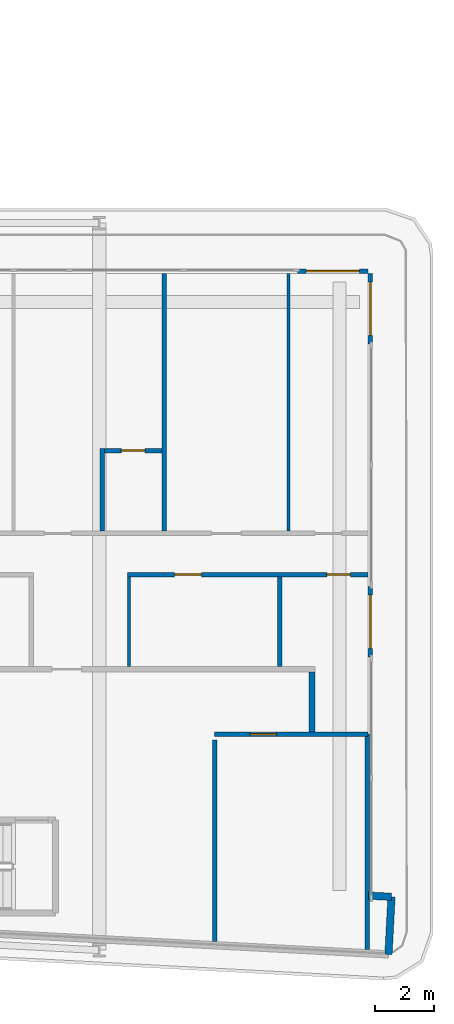
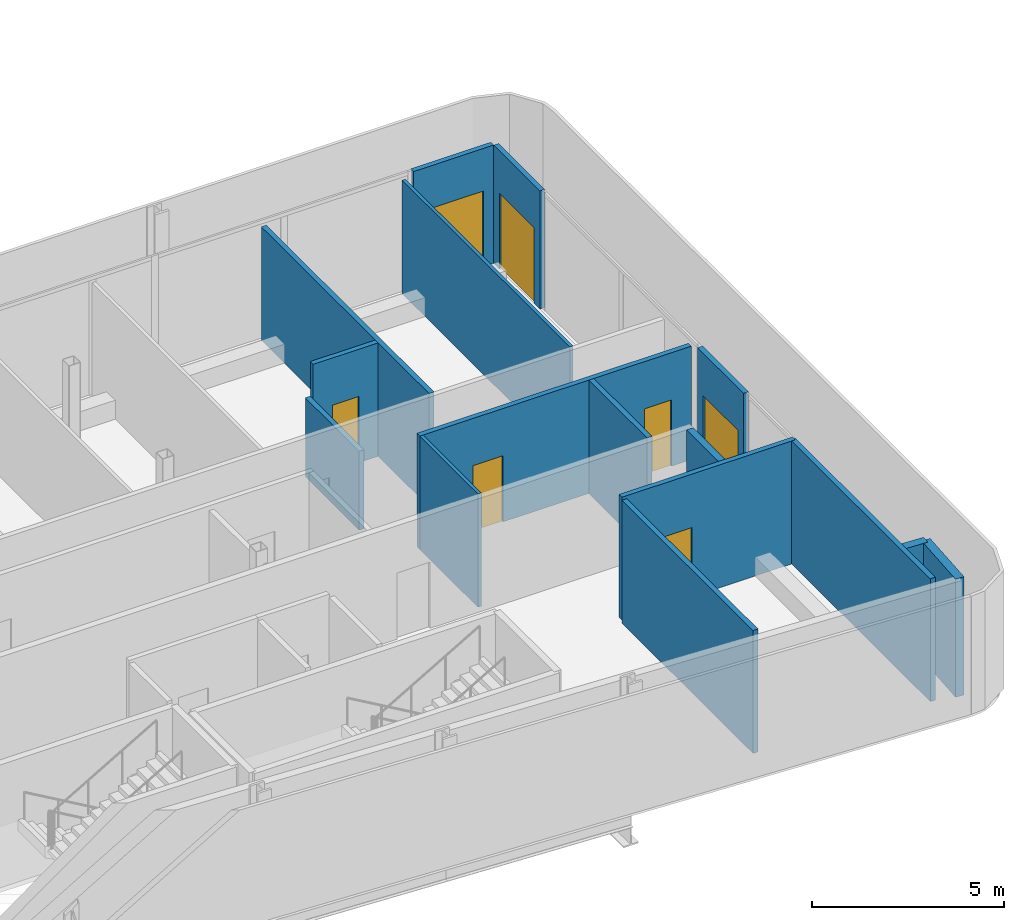
# One storey, part 19 of 27: 16 walls, 7 doors, 7 openings.
"""IFC4 building model written with IfcOpenShell, lengths in metres."""

from ifc_helpers import new_model, si_unit, direction, frame, frame_2d, origin, place, context, subcontext, project, spatial, rectangle, extrude, source, transform, mapped, material, layer, layer_set, type_object, element, fill, save


model = new_model("IFC4")

# Units and contexts
model_context = context("Model", 3, precision=1e-05, world=origin(), true_north=direction((0.0, 1.0)))
body_context = subcontext(model_context, "Body", "Model", "MODEL_VIEW")
ifc_project = project(units=[si_unit("LENGTHUNIT", "METRE"), si_unit("AREAUNIT", "SQUARE_METRE"), si_unit("VOLUMEUNIT", "CUBIC_METRE"), si_unit("PLANEANGLEUNIT", "RADIAN"), si_unit("MASSUNIT", "GRAM", prefix="KILO")], contexts=[model_context])

# Site, building, storey
site_placement = place(None, origin())
site = spatial("IfcSite", under=ifc_project, at=site_placement, CompositionType="ELEMENT")
building_placement = place(site_placement, origin())
building = spatial("IfcBuilding", under=site, at=building_placement, Name="Kheshtan School and Residences Tower", CompositionType="ELEMENT")
storey_placement = place(building_placement, frame((0.0, 0.0, 98.0)))
storey = spatial("IfcBuildingStorey", under=building, at=storey_placement, Name="L22", CompositionType="ELEMENT", Elevation=98.0)

# Walls
ifc_material_1 = material(Name="Gypsum board on steel studs with fire boards", Category="steel")
ifc_layer_1 = layer(ifc_material_1, 0.199951171875)
ifc_layer_set_1 = layer_set([ifc_layer_1], Name="Corridor wall 200")
wall_type_1 = type_object("IfcWallType", Name="Corridor wall 200", PredefinedType="PARTITIONING", material=ifc_layer_set_1)
wall_1_placement = place(storey_placement, frame((98.0, 28.3740234375, 0.0), z_axis=(0.0, 0.0, 1.0), x_axis=(0.0, 1.0, 0.0)))
element("IfcWall", 1, at=wall_1_placement, inside=storey, type_object=wall_type_1, Name="Partition L22-069", PredefinedType="PARTITIONING", context=body_context, shape_type="SweptSolid", body=[
    extrude(rectangle(XDim=2.02587890625, YDim=0.199951171875, at=frame_2d((1.012939453125, 0.0))), origin(), (0.0, 0.0, 1.0), 3.60009765625),
])
ifc_material_2 = material(Name="Concrete C40/50 with ceramic cladding and mineral wool insulation", Category="concrete")
ifc_layer_2 = layer(ifc_material_2, 0.25)
ifc_layer_set_2 = layer_set([ifc_layer_2], Name="External wall 250 ceramic clad")
wall_type_2 = type_object("IfcWallType", Name="External wall 250 ceramic clad", PredefinedType="SOLIDWALL", material=ifc_layer_set_2)
wall_2_placement = place(storey_placement, frame((99.906982421875, 22.839111328125, 0.0), z_axis=(0.0, 0.0, 1.0), x_axis=(0.998561284263, -0.053622398031, 0.0)))
element("IfcWall", 2, at=wall_2_placement, inside=storey, type_object=wall_type_2, Name="External wall L22 10", PredefinedType="SOLIDWALL", context=body_context, shape_type="SweptSolid", body=[
    extrude(rectangle(XDim=0.783203125, YDim=0.25, at=frame_2d((0.3916015625, 0.0))), origin(), (0.0, 0.0, 1.0), 3.75),
])
wall_3_placement = place(storey_placement, frame((100.68896484375, 22.797119140625, 0.0), z_axis=(0.0, 0.0, 1.0), x_axis=(-0.052841433274, -0.998602915542, 0.0)))
element("IfcWall", 3, at=wall_3_placement, inside=storey, type_object=wall_type_2, Name="External wall L22 11", PredefinedType="SOLIDWALL", context=body_context, shape_type="SweptSolid", body=[
    extrude(rectangle(XDim=1.94970703125, YDim=0.25, at=frame_2d((0.974853515625, 0.0))), origin(), (0.0, 0.0, 1.0), 3.75),
])

# Wall, opening, door
ifc_material_3 = material(Name="Aluminium frame wall with insulated infill", Category="aluminium")
ifc_layer_3 = layer(ifc_material_3, 0.14990234375)
ifc_layer_set_3 = layer_set([ifc_layer_3], Name="Glazing frame wall 150")
wall_type_3 = type_object("IfcWallType", Name="Glazing frame wall 150", PredefinedType="SOLIDWALL", material=ifc_layer_set_3)
wall_4_placement = place(storey_placement, frame((97.5, 43.97509765625, 0.0), z_axis=(0.0, 0.0, 1.0), x_axis=(1.0, 0.0, 0.0)))
wall_4 = element("IfcWall", 4, at=wall_4_placement, inside=storey, type_object=wall_type_3, Name="Balcony door wall L22 8.5", PredefinedType="SOLIDWALL", context=body_context, shape_type="SweptSolid", body=[
    extrude(rectangle(XDim=2.39990234375, YDim=0.14990234375, at=frame_2d((1.199951171875, 0.0))), origin(), (0.0, 0.0, 1.0), 3.75),
])
opening_1_placement = place(wall_4_placement, frame((0.300048828125, 0.0, 0.0)))
opening_1 = element("IfcOpeningElement", 5, at=opening_1_placement, cuts=wall_4, Name="Opening BD", PredefinedType="OPENING", context=body_context, shape_type="SweptSolid", body=[
    extrude(rectangle(XDim=1.800048828125, YDim=2.39990234375, at=frame_2d((0.89990234375, 1.199951171875))), frame((0.0, 0.0849609375, 0.0), z_axis=(0.0, -1.0, 0.0), x_axis=(1.0, 0.0, 0.0)), (0.0, 0.0, 1.0), 0.169921875),
])
ifc_material_4 = material(Name="Clear low-e glass in thermally broken aluminium frame", Category="aluminium")
door_type_1 = type_object("IfcDoorType", Name="Balcony sliding door", OperationType="SLIDING_TO_LEFT", PredefinedType="DOOR", material=ifc_material_4)
shared_shape_1 = source(origin(), body_context, "Body", "SweptSolid", [
    extrude(rectangle(XDim=1.800048828125, YDim=2.39990234375, at=frame_2d((0.89990234375, 1.199951171875))), frame((0.0, 0.02490234375, 0.0), z_axis=(0.0, -1.0, 0.0), x_axis=(1.0, 0.0, 0.0)), (0.0, 0.0, 1.0), 0.050048828125),
])
door_1_placement = place(opening_1_placement, origin())
door_1 = element("IfcDoor", 6, at=door_1_placement, inside=storey, type_object=door_type_1, Name="Balcony door L22 8.5", OperationType="SLIDING_TO_LEFT", OverallHeight=2.39990234375, OverallWidth=1.800048828125, PredefinedType="DOOR", context=body_context, shape_type="MappedRepresentation", body=[
    mapped(shared_shape_1, transform((0.0, 0.0, 0.0), x_axis=(1.0, 0.0, 0.0), y_axis=(0.0, 1.0, 0.0), z_axis=(0.0, 0.0, 1.0), scale=1.0)),
])
fill(opening_1, door_1)

wall_5_placement = place(storey_placement, frame((99.97509765625, 43.89990234375, 0.0), z_axis=(0.0, 0.0, 1.0), x_axis=(0.0, -1.0, 0.0)))
wall_5 = element("IfcWall", 7, at=wall_5_placement, inside=storey, type_object=wall_type_3, Name="Balcony door wall L22 9.1", PredefinedType="SOLIDWALL", context=body_context, shape_type="SweptSolid", body=[
    extrude(rectangle(XDim=2.39990234375, YDim=0.14990234375, at=frame_2d((1.199951171875, 0.0))), origin(), (0.0, 0.0, 1.0), 3.75),
])
opening_2_placement = place(wall_5_placement, frame((0.300048828125, 0.0, 0.0)))
opening_2 = element("IfcOpeningElement", 8, at=opening_2_placement, cuts=wall_5, Name="Opening BD", PredefinedType="OPENING", context=body_context, shape_type="SweptSolid", body=[
    extrude(rectangle(XDim=1.800048828125, YDim=2.39990234375, at=frame_2d((0.89990234375, 1.199951171875))), frame((0.0, 0.0849609375, 0.0), z_axis=(0.0, -1.0, 0.0), x_axis=(1.0, 0.0, 0.0)), (0.0, 0.0, 1.0), 0.169921875),
])
door_2_placement = place(opening_2_placement, origin())
door_2 = element("IfcDoor", 9, at=door_2_placement, inside=storey, type_object=door_type_1, Name="Balcony door L22 9.1", OperationType="SLIDING_TO_LEFT", OverallHeight=2.39990234375, OverallWidth=1.800048828125, PredefinedType="DOOR", context=body_context, shape_type="MappedRepresentation", body=[
    mapped(shared_shape_1, transform((0.0, 0.0, 0.0), x_axis=(1.0, 0.0, 0.0), y_axis=(0.0, 1.0, 0.0), z_axis=(0.0, 0.0, 1.0), scale=1.0)),
])
fill(opening_2, door_2)

wall_6_placement = place(storey_placement, frame((99.97509765625, 33.306884765625, 0.0), z_axis=(0.0, 0.0, 1.0), x_axis=(0.0, -1.0, 0.0)))
wall_6 = element("IfcWall", 10, at=wall_6_placement, inside=storey, type_object=wall_type_3, Name="Balcony door wall L22 9.2", PredefinedType="SOLIDWALL", context=body_context, shape_type="SweptSolid", body=[
    extrude(rectangle(XDim=2.39990234375, YDim=0.14990234375, at=frame_2d((1.199951171875, 0.0))), origin(), (0.0, 0.0, 1.0), 3.75),
])
opening_3_placement = place(wall_6_placement, frame((0.300048828125, 0.0, 0.0)))
opening_3 = element("IfcOpeningElement", 11, at=opening_3_placement, cuts=wall_6, Name="Opening BD", PredefinedType="OPENING", context=body_context, shape_type="SweptSolid", body=[
    extrude(rectangle(XDim=1.800048828125, YDim=2.39990234375, at=frame_2d((0.89990234375, 1.199951171875))), frame((0.0, 0.0849609375, 0.0), z_axis=(0.0, -1.0, 0.0), x_axis=(1.0, 0.0, 0.0)), (0.0, 0.0, 1.0), 0.169921875),
])
door_3_placement = place(opening_3_placement, origin())
door_3 = element("IfcDoor", 12, at=door_3_placement, inside=storey, type_object=door_type_1, Name="Balcony door L22 9.2", OperationType="SLIDING_TO_LEFT", OverallHeight=2.39990234375, OverallWidth=1.800048828125, PredefinedType="DOOR", context=body_context, shape_type="MappedRepresentation", body=[
    mapped(shared_shape_1, transform((0.0, 0.0, 0.0), x_axis=(1.0, 0.0, 0.0), y_axis=(0.0, 1.0, 0.0), z_axis=(0.0, 0.0, 1.0), scale=1.0)),
])
fill(opening_3, door_3)

# Walls
ifc_material_5 = material(Name="Gypsum board on steel studs", Category="steel")
ifc_layer_4 = layer(ifc_material_5, 0.10009765625)
ifc_layer_set_4 = layer_set([ifc_layer_4], Name="Gypsum partition 100")
wall_type_4 = type_object("IfcWallType", Name="Gypsum partition 100", PredefinedType="PARTITIONING", material=ifc_layer_set_4)
wall_7_placement = place(storey_placement, frame((91.800048828125, 30.60009765625, 0.0), z_axis=(0.0, 0.0, 1.0), x_axis=(0.0, 1.0, 0.0)))
element("IfcWall", 13, at=wall_7_placement, inside=storey, type_object=wall_type_4, Name="Partition L22-065", PredefinedType="PARTITIONING", context=body_context, shape_type="SweptSolid", body=[
    extrude(rectangle(XDim=3.02490234375, YDim=0.10009765625, at=frame_2d((1.512451171875, 0.0))), origin(), (0.0, 0.0, 1.0), 3.60009765625),
])
wall_8_placement = place(storey_placement, frame((97.199951171875, 35.175048828125, 0.0), z_axis=(0.0, 0.0, 1.0), x_axis=(0.0, 1.0, 0.0)))
element("IfcWall", 14, at=wall_8_placement, inside=storey, type_object=wall_type_4, Name="Partition L22-068", PredefinedType="PARTITIONING", context=body_context, shape_type="SweptSolid", body=[
    extrude(rectangle(XDim=8.724853515625, YDim=0.10009765625, at=frame_2d((4.3623046875, 0.0))), origin(), (0.0, 0.0, 1.0), 3.60009765625),
])
ifc_material_6 = material(Name="Fire-board shaft wall system")
ifc_layer_5 = layer(ifc_material_6, 0.14990234375)
ifc_layer_set_5 = layer_set([ifc_layer_5], Name="Service room wall 150")
wall_type_5 = type_object("IfcWallType", Name="Service room wall 150", PredefinedType="PARTITIONING", material=ifc_layer_set_5)
wall_9_placement = place(storey_placement, frame((99.8701171875, 21.014892578125, 0.0), z_axis=(0.0, 0.0, 1.0), x_axis=(0.0, 1.0, 0.0)))
element("IfcWall", 15, at=wall_9_placement, inside=storey, type_object=wall_type_5, Name="Service room wall", PredefinedType="PARTITIONING", context=body_context, shape_type="SweptSolid", body=[
    extrude(rectangle(XDim=7.28515625, YDim=0.14990234375, at=frame_2d((3.642578125, 0.0))), origin(), (0.0, 0.0, 1.0), 3.89990234375),
])

# Wall, opening, door
wall_10_placement = place(storey_placement, frame((94.7060546875, 28.300048828125, 0.0), z_axis=(0.0, 0.0, 1.0), x_axis=(1.0, 0.0, 0.0)))
wall_10 = element("IfcWall", 16, at=wall_10_placement, inside=storey, type_object=wall_type_5, Name="Service room wall", PredefinedType="PARTITIONING", context=body_context, shape_type="SweptSolid", body=[
    extrude(rectangle(XDim=5.19189453125, YDim=0.14990234375, at=frame_2d((2.595947265625, 0.0))), origin(), (0.0, 0.0, 1.0), 3.89990234375),
])
opening_4_placement = place(wall_10_placement, frame((1.197021484375, 0.0, 0.0)))
opening_4 = element("IfcOpeningElement", 17, at=opening_4_placement, cuts=wall_10, Name="Opening SR90", PredefinedType="OPENING", context=body_context, shape_type="SweptSolid", body=[
    extrude(rectangle(XDim=0.89990234375, YDim=2.199951171875, at=frame_2d((0.449951171875, 1.10009765625))), frame((0.0, 0.0849609375, 0.0), z_axis=(0.0, -1.0, 0.0), x_axis=(1.0, 0.0, 0.0)), (0.0, 0.0, 1.0), 0.169921875),
])
ifc_material_7 = material(Name="Steel door leaf, galvanised", Category="steel")
door_type_2 = type_object("IfcDoorType", Name="Service room door 900 steel 90 min", OperationType="SINGLE_SWING_LEFT", PredefinedType="DOOR", material=ifc_material_7)
shared_shape_2 = source(origin(), body_context, "Body", "SweptSolid", [
    extrude(rectangle(XDim=0.89990234375, YDim=2.199951171875, at=frame_2d((0.449951171875, 1.10009765625))), frame((0.0, 0.02490234375, 0.0), z_axis=(0.0, -1.0, 0.0), x_axis=(1.0, 0.0, 0.0)), (0.0, 0.0, 1.0), 0.050048828125),
])
door_4_placement = place(opening_4_placement, origin())
door_4 = element("IfcDoor", 18, at=door_4_placement, inside=storey, type_object=door_type_2, Name="Service room door", OperationType="SINGLE_SWING_LEFT", OverallHeight=2.199951171875, OverallWidth=0.89990234375, PredefinedType="DOOR", context=body_context, shape_type="MappedRepresentation", body=[
    mapped(shared_shape_2, transform((0.0, 0.0, 0.0), x_axis=(1.0, 0.0, 0.0), y_axis=(0.0, 1.0, 0.0), z_axis=(0.0, 0.0, 1.0), scale=1.0)),
])
fill(opening_4, door_4)

# Walls
wall_11_placement = place(storey_placement, frame((94.7060546875, 21.287109375, 0.0), z_axis=(0.0, 0.0, 1.0), x_axis=(0.0, 1.0, 0.0)))
element("IfcWall", 19, at=wall_11_placement, inside=storey, type_object=wall_type_5, Name="Service room wall", PredefinedType="PARTITIONING", context=body_context, shape_type="SweptSolid", body=[
    extrude(rectangle(XDim=6.81787109375, YDim=0.14990234375, at=frame_2d((3.408935546875, 0.0))), origin(), (0.0, 0.0, 1.0), 3.89990234375),
])
ifc_material_8 = material(Name="Moisture-resistant gypsum board on steel studs", Category="steel")
ifc_layer_6 = layer(ifc_material_8, 0.14990234375)
ifc_layer_set_6 = layer_set([ifc_layer_6], Name="Wet-room partition 150")
wall_type_6 = type_object("IfcWallType", Name="Wet-room partition 150", PredefinedType="PARTITIONING", material=ifc_layer_set_6)
wall_12_placement = place(storey_placement, frame((90.89990234375, 35.175048828125, 0.0), z_axis=(0.0, 0.0, 1.0), x_axis=(0.0, 1.0, 0.0)))
element("IfcWall", 20, at=wall_12_placement, inside=storey, type_object=wall_type_6, Name="Partition L22-062", PredefinedType="PARTITIONING", context=body_context, shape_type="SweptSolid", body=[
    extrude(rectangle(XDim=2.800048828125, YDim=0.14990234375, at=frame_2d((1.39990234375, 0.0))), origin(), (0.0, 0.0, 1.0), 2.5),
])

# Wall, opening, door
wall_13_placement = place(storey_placement, frame((90.97509765625, 37.89990234375, 0.0), z_axis=(0.0, 0.0, 1.0), x_axis=(1.0, 0.0, 0.0)))
wall_13 = element("IfcWall", 21, at=wall_13_placement, inside=storey, type_object=wall_type_6, Name="Partition L22-063", PredefinedType="PARTITIONING", context=body_context, shape_type="SweptSolid", body=[
    extrude(rectangle(XDim=1.949951171875, YDim=0.14990234375, at=frame_2d((0.97509765625, 0.0))), origin(), (0.0, 0.0, 1.0), 3.60009765625),
])
opening_5_placement = place(wall_13_placement, frame((0.574951171875, 0.0, 0.0)))
opening_5 = element("IfcOpeningElement", 22, at=opening_5_placement, cuts=wall_13, Name="Opening D21-022", PredefinedType="OPENING", context=body_context, shape_type="SweptSolid", body=[
    extrude(rectangle(XDim=0.800048828125, YDim=2.10009765625, at=frame_2d((0.39990234375, 1.050048828125))), frame((0.0, 0.0849609375, 0.0), z_axis=(0.0, -1.0, 0.0), x_axis=(1.0, 0.0, 0.0)), (0.0, 0.0, 1.0), 0.169921875),
])
ifc_material_9 = material(Name="Veneered timber door leaf", Category="wood")
door_type_3 = type_object("IfcDoorType", Name="Door 800 x 2100", OperationType="SINGLE_SWING_LEFT", PredefinedType="DOOR", material=ifc_material_9)
shared_shape_3 = source(origin(), body_context, "Body", "SweptSolid", [
    extrude(rectangle(XDim=0.800048828125, YDim=2.10009765625, at=frame_2d((0.39990234375, 1.050048828125))), frame((0.0, 0.02490234375, 0.0), z_axis=(0.0, -1.0, 0.0), x_axis=(1.0, 0.0, 0.0)), (0.0, 0.0, 1.0), 0.050048828125),
])
door_5_placement = place(opening_5_placement, origin())
door_5 = element("IfcDoor", 23, at=door_5_placement, inside=storey, type_object=door_type_3, Name="Door D21-022", OperationType="SINGLE_SWING_LEFT", OverallHeight=2.10009765625, OverallWidth=0.800048828125, PredefinedType="DOOR", context=body_context, shape_type="MappedRepresentation", body=[
    mapped(shared_shape_3, transform((0.0, 0.0, 0.0), x_axis=(1.0, 0.0, 0.0), y_axis=(0.0, 1.0, 0.0), z_axis=(0.0, 0.0, 1.0), scale=1.0)),
])
fill(opening_5, door_5)

# Wall, openings, doors
wall_14_placement = place(storey_placement, frame((91.75, 33.699951171875, 0.0), z_axis=(0.0, 0.0, 1.0), x_axis=(1.0, 0.0, 0.0)))
wall_14 = element("IfcWall", 24, at=wall_14_placement, inside=storey, type_object=wall_type_6, Name="Partition L22-064", PredefinedType="PARTITIONING", context=body_context, shape_type="SweptSolid", body=[
    extrude(rectangle(XDim=8.14990234375, YDim=0.14990234375, at=frame_2d((4.074951171875, 0.0))), origin(), (0.0, 0.0, 1.0), 3.60009765625),
])
opening_6_placement = place(wall_14_placement, frame((6.75, 0.0, 0.0)))
opening_6 = element("IfcOpeningElement", 25, at=opening_6_placement, cuts=wall_14, Name="Opening D21-018", PredefinedType="OPENING", context=body_context, shape_type="SweptSolid", body=[
    extrude(rectangle(XDim=0.800048828125, YDim=2.10009765625, at=frame_2d((0.39990234375, 1.050048828125))), frame((0.0, 0.0849609375, 0.0), z_axis=(0.0, -1.0, 0.0), x_axis=(1.0, 0.0, 0.0)), (0.0, 0.0, 1.0), 0.169921875),
])
opening_7_placement = place(wall_14_placement, frame((1.60009765625, 0.0, 0.0)))
opening_7 = element("IfcOpeningElement", 26, at=opening_7_placement, cuts=wall_14, Name="Opening D21-024", PredefinedType="OPENING", context=body_context, shape_type="SweptSolid", body=[
    extrude(rectangle(XDim=0.89990234375, YDim=2.10009765625, at=frame_2d((0.449951171875, 1.050048828125))), frame((0.0, 0.0849609375, 0.0), z_axis=(0.0, -1.0, 0.0), x_axis=(1.0, 0.0, 0.0)), (0.0, 0.0, 1.0), 0.169921875),
])
door_6_placement = place(opening_6_placement, origin())
door_6 = element("IfcDoor", 27, at=door_6_placement, inside=storey, type_object=door_type_3, Name="Door D21-018", OperationType="SINGLE_SWING_LEFT", OverallHeight=2.10009765625, OverallWidth=0.800048828125, PredefinedType="DOOR", context=body_context, shape_type="MappedRepresentation", body=[
    mapped(shared_shape_3, transform((0.0, 0.0, 0.0), x_axis=(1.0, 0.0, 0.0), y_axis=(0.0, 1.0, 0.0), z_axis=(0.0, 0.0, 1.0), scale=1.0)),
])
fill(opening_6, door_6)
door_type_4 = type_object("IfcDoorType", Name="Door 900 x 2100", OperationType="SINGLE_SWING_LEFT", PredefinedType="DOOR", material=ifc_material_9)
shared_shape_4 = source(origin(), body_context, "Body", "SweptSolid", [
    extrude(rectangle(XDim=0.89990234375, YDim=2.10009765625, at=frame_2d((0.449951171875, 1.050048828125))), frame((0.0, 0.02490234375, 0.0), z_axis=(0.0, -1.0, 0.0), x_axis=(1.0, 0.0, 0.0)), (0.0, 0.0, 1.0), 0.050048828125),
])
door_7_placement = place(opening_7_placement, origin())
door_7 = element("IfcDoor", 28, at=door_7_placement, inside=storey, type_object=door_type_4, Name="Door D21-024", OperationType="SINGLE_SWING_LEFT", OverallHeight=2.10009765625, OverallWidth=0.89990234375, PredefinedType="DOOR", context=body_context, shape_type="MappedRepresentation", body=[
    mapped(shared_shape_4, transform((0.0, 0.0, 0.0), x_axis=(1.0, 0.0, 0.0), y_axis=(0.0, 1.0, 0.0), z_axis=(0.0, 0.0, 1.0), scale=1.0)),
])
fill(opening_7, door_7)

# Walls
wall_15_placement = place(storey_placement, frame((93.0, 35.175048828125, 0.0), z_axis=(0.0, 0.0, 1.0), x_axis=(0.0, 1.0, 0.0)))
element("IfcWall", 29, at=wall_15_placement, inside=storey, type_object=wall_type_6, Name="Partition L22-066", PredefinedType="PARTITIONING", context=body_context, shape_type="SweptSolid", body=[
    extrude(rectangle(XDim=8.724853515625, YDim=0.14990234375, at=frame_2d((4.3623046875, 0.0))), origin(), (0.0, 0.0, 1.0), 3.60009765625),
])
wall_16_placement = place(storey_placement, frame((96.89990234375, 30.60009765625, 0.0), z_axis=(0.0, 0.0, 1.0), x_axis=(0.0, 1.0, 0.0)))
element("IfcWall", 30, at=wall_16_placement, inside=storey, type_object=wall_type_6, Name="Partition L22-067", PredefinedType="PARTITIONING", context=body_context, shape_type="SweptSolid", body=[
    extrude(rectangle(XDim=3.02490234375, YDim=0.14990234375, at=frame_2d((1.512451171875, 0.0))), origin(), (0.0, 0.0, 1.0), 3.60009765625),
])

save(model, "model.ifc")
